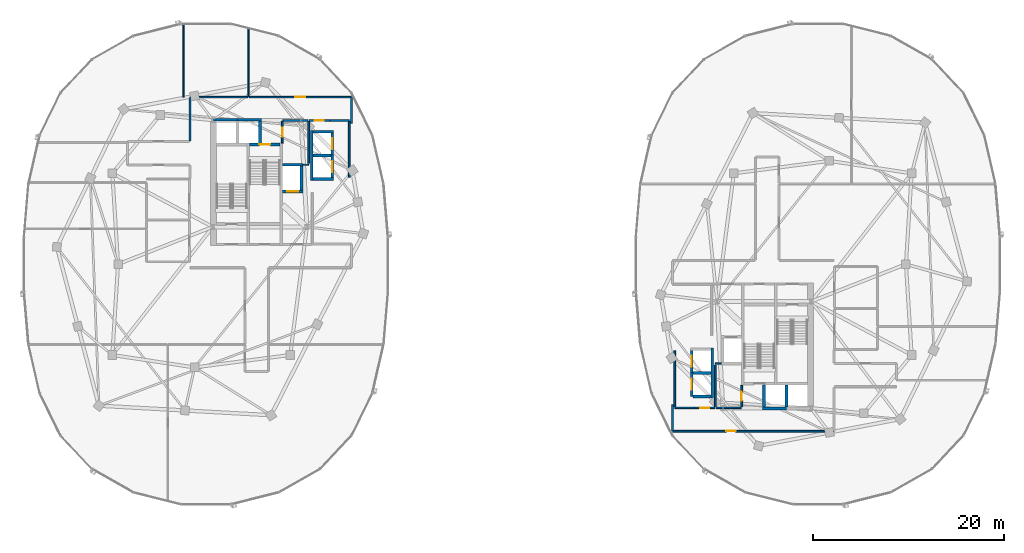
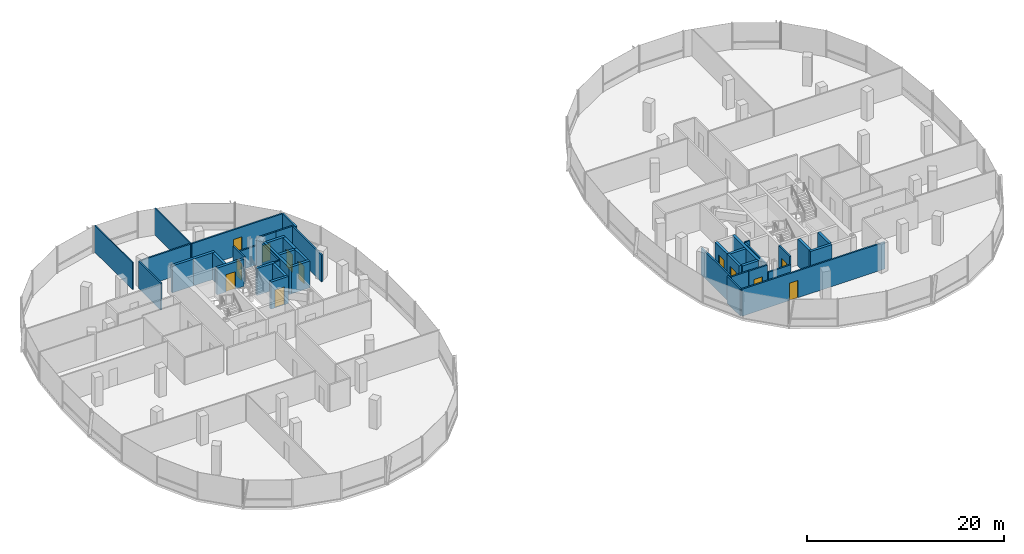
# One storey, part 16 of 25: 43 walls, 12 doors, 12 openings.
"""IFC4 building model written with IfcOpenShell, lengths in metres."""

import ifcopenshell
import ifcopenshell.guid

model = None  # the IFC model being written
_history = None  # IfcOwnerHistory: only IFC2X3 demands one
_inside = {}  # id of a spatial element -> (the spatial element, [elements in it])
_under = {}  # id of a project, library or spatial element -> (it, [spatial elements below it])
_declared = {}  # id of a project -> (the project, [libraries it declares])
_typed = {}  # id of a type object -> (the type object, [elements of that type])
_made_of = {}  # id of a material, layer set ... -> (it, [elements and type objects made of it])


def new_model(schema):
    """Start an empty IFC model of exactly this schema.

    Asked for "IFC4X3", IfcOpenShell would pick the latest addendum, in which some entities
    have other attributes; the version numbers below select the first issue.
    IFC2X3 requires an IfcOwnerHistory on every rooted entity: one is made here for all.
    """
    global model, _history
    if schema == "IFC4X3":
        model = ifcopenshell.file(schema_version=(4, 3, 0, 0))
    else:
        model = ifcopenshell.file(schema=schema)
    _inside.clear()
    _under.clear()
    _declared.clear()
    _typed.clear()
    _made_of.clear()
    _history = None
    if model.schema == "IFC2X3":
        org = make("IfcOrganization", Name="unknown")
        user = make(
            "IfcPersonAndOrganization",
            ThePerson=make("IfcPerson", FamilyName="unknown"),
            TheOrganization=org,
        )
        app = make(
            "IfcApplication",
            ApplicationDeveloper=org,
            Version="unknown",
            ApplicationFullName="unknown",
            ApplicationIdentifier="unknown",
        )
        _history = make(
            "IfcOwnerHistory",
            OwningUser=user,
            OwningApplication=app,
            ChangeAction="ADDED",
            CreationDate=0,
        )
    return model


def make(cls, **values):
    """One entity of the class cls with the attributes given. An attribute that is None is left unset."""
    return model.create_entity(
        cls, **{name: value for name, value in values.items() if value is not None}
    )


def rooted(cls, **values):
    """An entity with a GlobalId (a new one), such as an element, a storey or a relation."""
    return make(cls, GlobalId=ifcopenshell.guid.new(), OwnerHistory=_history, **values)


def si_unit(unit_type, name, prefix=None):
    """IfcSIUnit, for example si_unit("LENGTHUNIT", "METRE", prefix="MILLI")."""
    return make("IfcSIUnit", UnitType=unit_type, Prefix=prefix, Name=name)


def assignment(units):
    """IfcUnitAssignment: the units of a project."""
    return None if units is None else make("IfcUnitAssignment", Units=units)


def point(xyz):
    """IfcCartesianPoint."""
    return None if xyz is None else make("IfcCartesianPoint", Coordinates=xyz)


def direction(xyz):
    """IfcDirection."""
    return None if xyz is None else make("IfcDirection", DirectionRatios=xyz)


def frame(location, z_axis=None, x_axis=None):
    """IfcAxis2Placement3D, a coordinate frame: its origin and axes. An axis left out is left unset."""
    return make(
        "IfcAxis2Placement3D",
        Location=point(location),
        Axis=direction(z_axis),
        RefDirection=direction(x_axis),
    )


def frame_2d(location, x_axis=None):
    """IfcAxis2Placement2D, a coordinate frame in the plane: its origin and x axis."""
    return make(
        "IfcAxis2Placement2D", Location=point(location), RefDirection=direction(x_axis)
    )


def origin():
    """The frame at (0, 0, 0) with its axes left unset."""
    return frame((0.0, 0.0, 0.0))


def place(relative_to, where):
    """IfcLocalPlacement: puts the frame where relative to a parent placement (None: the world)."""
    return make(
        "IfcLocalPlacement", PlacementRelTo=relative_to, RelativePlacement=where
    )


def context(
    kind, dimensions, precision=None, world=None, true_north=None, identifier=None
):
    """IfcGeometricRepresentationContext, for example the 3D "Model" context."""
    return make(
        "IfcGeometricRepresentationContext",
        ContextIdentifier=identifier,
        ContextType=kind,
        CoordinateSpaceDimension=dimensions,
        Precision=precision,
        WorldCoordinateSystem=world,
        TrueNorth=true_north,
    )


def subcontext(parent, identifier, kind, view, scale=None):
    """IfcGeometricRepresentationSubContext, for example "Body" below "Model"."""
    return make(
        "IfcGeometricRepresentationSubContext",
        ContextIdentifier=identifier,
        ContextType=kind,
        ParentContext=parent,
        TargetScale=scale,
        TargetView=view,
    )


def project(units=None, contexts=None):
    """IfcProject with its units and contexts."""
    return rooted(
        "IfcProject",
        Name="project",
        RepresentationContexts=contexts,
        UnitsInContext=assignment(units),
    )


def spatial(cls, under=None, at=None, **own):
    """A site, building, storey or space (cls), placed at a placement, below another one or the project."""
    s = rooted(cls, ObjectPlacement=at, **own)
    if under is not None:
        _under.setdefault(under.id(), (under, []))[1].append(s)
    return s


def profile(cls, at=None, kind="AREA", **sizes):
    """A parametric profile (cls). Its sizes go by their IFC names, for example OverallWidth=200.0."""
    return make(cls, ProfileType=kind, Position=at, **sizes)


def rectangle(**sizes):
    """IfcRectangleProfileDef."""
    return profile("IfcRectangleProfileDef", **sizes)


def extrude(swept, where, along, depth):
    """IfcExtrudedAreaSolid: the profile swept, set in the frame where, extruded along a direction by depth."""
    return make(
        "IfcExtrudedAreaSolid",
        SweptArea=swept,
        Position=where,
        ExtrudedDirection=direction(along),
        Depth=depth,
    )


def shape(context_of_items, identifier, shape_type, items):
    """IfcShapeRepresentation: the items that make up one representation, for example the "Body"."""
    return make(
        "IfcShapeRepresentation",
        ContextOfItems=context_of_items,
        RepresentationIdentifier=identifier,
        RepresentationType=shape_type,
        Items=items,
    )


def material(Name=None, Category=None):
    """IfcMaterial."""
    return make("IfcMaterial", Name=Name, Category=Category)


def layer(
    of_material, thickness, ventilated=None, Name=None, Category=None, Priority=None
):
    """IfcMaterialLayer: one layer of a wall or slab, of a material (None: an air gap)."""
    return make(
        "IfcMaterialLayer",
        Material=of_material,
        LayerThickness=thickness,
        IsVentilated=ventilated,
        Name=Name,
        Category=Category,
        Priority=Priority,
    )


def layer_set(layers, Name=None):
    """IfcMaterialLayerSet."""
    return make("IfcMaterialLayerSet", MaterialLayers=layers, LayerSetName=Name)


def made_of(thing, what):
    """Note that an element or type object is made of a material, layer set ...; save() writes the relation."""
    if what is not None:
        _made_of.setdefault(what.id(), (what, []))[1].append(thing)
    return thing


def type_object(cls, material=None, **own):
    """A type object (cls), such as IfcWallType, which elements share."""
    return made_of(rooted(cls, **own), material)


def element(
    cls,
    number,
    at=None,
    inside=None,
    cuts=None,
    type_object=None,
    material=None,
    context=None,
    identifier="Body",
    shape_type=None,
    held_by="IfcProductDefinitionShape",
    body=None,
    shapes=None,
    **own,
):
    """One element of the class cls, such as IfcWall. Its Tag is "e" and its number.

    at: its placement. inside: the storey or other place that contains it. cuts: it is an
    opening in that element (IfcRelVoidsElement). A single representation is given by context,
    identifier, shape_type and body (its items); several are given by shapes. held_by: the class
    of the entity that holds the representations. save() writes the other relations.
    """
    e = rooted(cls, Tag="e%d" % number, ObjectPlacement=at, **own)
    if body is not None:
        shapes = [shape(context, identifier, shape_type, body)]
    if shapes is not None:
        e.Representation = make(held_by, Representations=shapes)
    if inside is not None:
        _inside.setdefault(inside.id(), (inside, []))[1].append(e)
    if cuts is not None:
        rooted(
            "IfcRelVoidsElement", RelatingBuildingElement=cuts, RelatedOpeningElement=e
        )
    if type_object is not None:
        _typed.setdefault(type_object.id(), (type_object, []))[1].append(e)
    return made_of(e, material)


def fill(opening, filler):
    """IfcRelFillsElement: the door or window that sits in an opening."""
    return rooted(
        "IfcRelFillsElement",
        RelatingOpeningElement=opening,
        RelatedBuildingElement=filler,
    )


def aggregate(whole, parts):
    """IfcRelAggregates: a whole, such as a stair, and the parts it consists of."""
    return rooted("IfcRelAggregates", RelatingObject=whole, RelatedObjects=parts)


def save(model, path):
    """Write the relations noted so far, then the file.

    IfcRelAggregates (storeys below a building ...), IfcRelContainedInSpatialStructure (elements
    in a storey), IfcRelDefinesByType, IfcRelAssociatesMaterial and IfcRelDeclares: one each for
    every whole, place, type object, material and project.
    """
    for whole, parts in _under.values():
        aggregate(whole, parts)
    for where, things in _inside.values():
        rooted(
            "IfcRelContainedInSpatialStructure",
            RelatedElements=things,
            RelatingStructure=where,
        )
    for kind, things in _typed.values():
        rooted("IfcRelDefinesByType", RelatedObjects=things, RelatingType=kind)
    for what, things in _made_of.values():
        rooted("IfcRelAssociatesMaterial", RelatedObjects=things, RelatingMaterial=what)
    for by, libraries in _declared.values():
        rooted("IfcRelDeclares", RelatingContext=by, RelatedDefinitions=libraries)
    model.write(path)


model = new_model("IFC4")

# Units and contexts
model_context = context("Model", 3, precision=1e-05, world=origin(), true_north=direction((0.0, 1.0)))
body_context = subcontext(model_context, "Body", "Model", "MODEL_VIEW")
ifc_project = project(units=[si_unit("LENGTHUNIT", "METRE"), si_unit("AREAUNIT", "SQUARE_METRE"), si_unit("VOLUMEUNIT", "CUBIC_METRE"), si_unit("PLANEANGLEUNIT", "RADIAN"), si_unit("MASSUNIT", "GRAM", prefix="KILO"), si_unit("THERMODYNAMICTEMPERATUREUNIT", "KELVIN"), si_unit("POWERUNIT", "WATT")], contexts=[model_context])

# Site, building, storey
site_placement = place(None, origin())
site = spatial("IfcSite", under=ifc_project, at=site_placement, CompositionType="ELEMENT")
building_placement = place(site_placement, origin())
building = spatial("IfcBuilding", under=site, at=building_placement, Name="Cundina Bronze Exchange", CompositionType="ELEMENT")
storey_placement = place(building_placement, frame((0.0, 0.0, 206.199951171875)))
storey = spatial("IfcBuildingStorey", under=building, at=storey_placement, Name="L54", CompositionType="ELEMENT", Elevation=206.199951171875)

# Wall
ifc_material_1 = material(Name="Gypsum Fireboard Partition EI120")
ifc_layer_1 = layer(ifc_material_1, 0.179931640625, Name="Gypsum Fireboard Partition EI120")
ifc_layer_set_1 = layer_set([ifc_layer_1], Name="Gypsum Fireboard Partition EI120")
wall_type_1 = type_object("IfcWallType", Name="WL-COR-180", PredefinedType="PARTITIONING", material=ifc_layer_set_1)
wall_1_placement = place(storey_placement, frame((-17.02001953125, 9.070068359375, 0.0), z_axis=(0.0, 0.0, 1.0), x_axis=(0.0, 1.0, 0.0)))
element("IfcWall", 1, at=wall_1_placement, inside=storey, type_object=wall_type_1, Name="L54 Interior Partition 001", PredefinedType="PARTITIONING", context=body_context, shape_type="SweptSolid", body=[
    extrude(rectangle(XDim=5.85986328125, YDim=0.179931640625, at=frame_2d((2.929931640625, 0.0))), origin(), (0.0, 0.0, 1.0), 3.340087890625),
])

# Wall, opening, door
wall_2_placement = place(storey_placement, frame((-21.22998046875, 15.030029296875, 0.0), z_axis=(0.0, 0.0, 1.0), x_axis=(1.0, 0.0, 0.0)))
wall_2 = element("IfcWall", 2, at=wall_2_placement, inside=storey, type_object=wall_type_1, Name="L54 Interior Partition 002", PredefinedType="PARTITIONING", context=body_context, shape_type="SweptSolid", body=[
    extrude(rectangle(XDim=2.159912109375, YDim=0.179931640625, at=frame_2d((1.080078125, 0.0))), origin(), (0.0, 0.0, 1.0), 3.340087890625),
])
opening_1_placement = place(wall_2_placement, frame((0.60498046875, 0.0, 0.0)))
opening_1 = element("IfcOpeningElement", 3, at=opening_1_placement, cuts=wall_2, Name="Opening DW-01", PredefinedType="OPENING", context=body_context, shape_type="SweptSolid", body=[
    extrude(rectangle(XDim=0.949951171875, YDim=2.10009765625, at=frame_2d((0.47509765625, 1.050048828125))), frame((0.0, 0.099853515625, 0.0), z_axis=(0.0, -1.0, 0.0), x_axis=(1.0, 0.0, 0.0)), (0.0, 0.0, 1.0), 0.199951171875),
])
ifc_material_2 = material(Name="Solid Andean Oak Timber Grade A", Category="wood")
door_type_1 = type_object("IfcDoorType", Name="DR-WC-950", OperationType="NOTDEFINED", PredefinedType="DOOR", material=ifc_material_2)
door_1_placement = place(opening_1_placement, origin())
door_1 = element("IfcDoor", 4, at=door_1_placement, inside=storey, type_object=door_type_1, Name="L54 Interior Door 002", OperationType="SINGLE_SWING_LEFT", OverallHeight=2.10009765625, OverallWidth=0.949951171875, PredefinedType="DOOR", context=body_context, shape_type="SweptSolid", body=[
    extrude(rectangle(XDim=0.949951171875, YDim=2.10009765625, at=frame_2d((0.47509765625, 1.050048828125))), frame((0.0, 0.02490234375, 0.0), z_axis=(0.0, -1.0, 0.0), x_axis=(1.0, 0.0, 0.0)), (0.0, 0.0, 1.0), 0.050048828125),
])
fill(opening_1, door_1)

# Walls
wall_3_placement = place(storey_placement, frame((-19.030029296875, 15.030029296875, 0.0), z_axis=(0.0, 0.0, 1.0), x_axis=(1.0, 0.0, 0.0)))
element("IfcWall", 5, at=wall_3_placement, inside=storey, type_object=wall_type_1, Name="L54 Interior Partition 003", PredefinedType="PARTITIONING", context=body_context, shape_type="SweptSolid", body=[
    extrude(rectangle(XDim=1.989990234375, YDim=0.179931640625, at=frame_2d((0.9951171875, 0.0))), origin(), (0.0, 0.0, 1.0), 3.340087890625),
])
wall_4_placement = place(storey_placement, frame((-21.25, 10.570068359375, 0.0), z_axis=(0.0, 0.0, 1.0), x_axis=(0.0, 1.0, 0.0)))
element("IfcWall", 6, at=wall_4_placement, inside=storey, type_object=wall_type_1, Name="L54 Interior Partition 005", PredefinedType="PARTITIONING", context=body_context, shape_type="SweptSolid", body=[
    extrude(rectangle(XDim=4.35986328125, YDim=0.179931640625, at=frame_2d((2.179931640625, 0.0))), origin(), (0.0, 0.0, 1.0), 3.340087890625),
])
wall_5_placement = place(storey_placement, frame((-23.9599609375, 15.030029296875, 0.0), z_axis=(0.0, 0.0, 1.0), x_axis=(1.0, 0.0, 0.0)))
element("IfcWall", 7, at=wall_5_placement, inside=storey, type_object=wall_type_1, Name="L54 Interior Partition 006", PredefinedType="PARTITIONING", context=body_context, shape_type="SweptSolid", body=[
    extrude(rectangle(XDim=2.60986328125, YDim=0.179931640625, at=frame_2d((1.304931640625, 0.0))), origin(), (0.0, 0.0, 1.0), 2.4130859375),
])

# Wall, opening, door
wall_6_placement = place(storey_placement, frame((-24.02001953125, 12.669921875, 0.0), z_axis=(0.0, 0.0, 1.0), x_axis=(0.0, 1.0, 0.0)))
wall_6 = element("IfcWall", 8, at=wall_6_placement, inside=storey, type_object=wall_type_1, Name="L54 Interior Partition 008", PredefinedType="PARTITIONING", context=body_context, shape_type="SweptSolid", body=[
    extrude(rectangle(XDim=2.260009765625, YDim=0.179931640625, at=frame_2d((1.1298828125, 0.0))), origin(), (0.0, 0.0, 1.0), 3.340087890625),
])
opening_2_placement = place(wall_6_placement, frame((0.655029296875, 0.0, 0.0)))
opening_2 = element("IfcOpeningElement", 9, at=opening_2_placement, cuts=wall_6, Name="Opening DW-01", PredefinedType="OPENING", context=body_context, shape_type="SweptSolid", body=[
    extrude(rectangle(XDim=0.949951171875, YDim=2.10009765625, at=frame_2d((0.47509765625, 1.050048828125))), frame((0.0, 0.099853515625, 0.0), z_axis=(0.0, -1.0, 0.0), x_axis=(1.0, 0.0, 0.0)), (0.0, 0.0, 1.0), 0.199951171875),
])
door_2_placement = place(opening_2_placement, origin())
door_2 = element("IfcDoor", 10, at=door_2_placement, inside=storey, type_object=door_type_1, Name="L54 Interior Door 008", OperationType="SINGLE_SWING_LEFT", OverallHeight=2.10009765625, OverallWidth=0.949951171875, PredefinedType="DOOR", context=body_context, shape_type="SweptSolid", body=[
    extrude(rectangle(XDim=0.949951171875, YDim=2.10009765625, at=frame_2d((0.47509765625, 1.050048828125))), frame((0.0, 0.02490234375, 0.0), z_axis=(0.0, -1.0, 0.0), x_axis=(1.0, 0.0, 0.0)), (0.0, 0.0, 1.0), 0.050048828125),
])
fill(opening_2, door_2)

wall_7_placement = place(storey_placement, frame((-16.821533203125, 17.469970703125, 0.0), z_axis=(0.0, 0.0, 1.0), x_axis=(-1.0, 0.0, 0.0)))
wall_7 = element("IfcWall", 11, at=wall_7_placement, inside=storey, type_object=wall_type_1, Name="L54 Interior Partition 029", PredefinedType="PARTITIONING", context=body_context, shape_type="SweptSolid", body=[
    extrude(rectangle(XDim=10.6484375, YDim=0.179931640625, at=frame_2d((5.32421875, 0.0))), origin(), (0.0, 0.0, 1.0), 3.340087890625),
])
opening_3_placement = place(wall_7_placement, frame((4.82421875, 0.0, 0.0)))
opening_3 = element("IfcOpeningElement", 12, at=opening_3_placement, cuts=wall_7, Name="Opening DO-01", PredefinedType="OPENING", context=body_context, shape_type="SweptSolid", body=[
    extrude(rectangle(XDim=1.0, YDim=2.14990234375, at=frame_2d((0.5, 1.074951171875))), frame((0.0, 0.099853515625, 0.0), z_axis=(0.0, -1.0, 0.0), x_axis=(1.0, 0.0, 0.0)), (0.0, 0.0, 1.0), 0.199951171875),
])
door_type_2 = type_object("IfcDoorType", Name="DR-OFF-1000", OperationType="NOTDEFINED", PredefinedType="DOOR", material=ifc_material_2)
door_3_placement = place(opening_3_placement, origin())
door_3 = element("IfcDoor", 13, at=door_3_placement, inside=storey, type_object=door_type_2, Name="L54 Interior Door 029", OperationType="SINGLE_SWING_LEFT", OverallHeight=2.14990234375, OverallWidth=1.0, PredefinedType="DOOR", context=body_context, shape_type="SweptSolid", body=[
    extrude(rectangle(XDim=1.0, YDim=2.14990234375, at=frame_2d((0.5, 1.074951171875))), frame((0.0, 0.02490234375, 0.0), z_axis=(0.0, -1.0, 0.0), x_axis=(1.0, 0.0, 0.0)), (0.0, 0.0, 1.0), 0.050048828125),
])
fill(opening_3, door_3)

# Walls
wall_8_placement = place(storey_placement, frame((-16.780029296875, 14.721435546875, 0.0), z_axis=(0.0, 0.0, 1.0), x_axis=(0.0, 1.0, 0.0)))
element("IfcWall", 14, at=wall_8_placement, inside=storey, type_object=wall_type_1, Name="L54 Interior Partition 033", PredefinedType="PARTITIONING", context=body_context, shape_type="SweptSolid", body=[
    extrude(rectangle(XDim=2.70703125, YDim=0.179931640625, at=frame_2d((1.353515625, 0.0))), origin(), (0.0, 0.0, 1.0), 3.340087890625),
])
wall_9_placement = place(storey_placement, frame((-27.64990234375, 17.469970703125, 0.0), z_axis=(0.0, 0.0, 1.0), x_axis=(-1.0, 0.0, 0.0)))
element("IfcWall", 15, at=wall_9_placement, inside=storey, type_object=wall_type_1, Name="L54 Interior Partition 039", PredefinedType="PARTITIONING", context=body_context, shape_type="SweptSolid", body=[
    extrude(rectangle(XDim=5.978515625, YDim=0.179931640625, at=frame_2d((2.9892578125, 0.0))), origin(), (0.0, 0.0, 1.0), 3.340087890625),
])
wall_10_placement = place(storey_placement, frame((-33.669921875, 17.428466796875, 0.0), z_axis=(0.0, 0.0, 1.0), x_axis=(0.0, -1.0, 0.0)))
element("IfcWall", 16, at=wall_10_placement, inside=storey, type_object=wall_type_1, Name="L54 Interior Partition 040", PredefinedType="PARTITIONING", context=body_context, shape_type="SweptSolid", body=[
    extrude(rectangle(XDim=4.528564453125, YDim=0.179931640625, at=frame_2d((2.26416015625, 0.0))), origin(), (0.0, 0.0, 1.0), 3.340087890625),
])
wall_11_placement = place(storey_placement, frame((17.02001953125, -14.929931640625, 0.0), z_axis=(0.0, 0.0, 1.0), x_axis=(0.0, 1.0, 0.0)))
element("IfcWall", 17, at=wall_11_placement, inside=storey, type_object=wall_type_1, Name="L54 Interior Partition 043", PredefinedType="PARTITIONING", context=body_context, shape_type="SweptSolid", body=[
    extrude(rectangle(XDim=5.85986328125, YDim=0.179931640625, at=frame_2d((2.929931640625, 0.0))), origin(), (0.0, 0.0, 1.0), 3.340087890625),
])
wall_12_placement = place(storey_placement, frame((17.0400390625, -15.030029296875, 0.0), z_axis=(0.0, 0.0, 1.0), x_axis=(1.0, 0.0, 0.0)))
element("IfcWall", 18, at=wall_12_placement, inside=storey, type_object=wall_type_1, Name="L54 Interior Partition 044", PredefinedType="PARTITIONING", context=body_context, shape_type="SweptSolid", body=[
    extrude(rectangle(XDim=1.989990234375, YDim=0.179931640625, at=frame_2d((0.9951171875, 0.0))), origin(), (0.0, 0.0, 1.0), 3.340087890625),
])

# Wall, opening, door
wall_13_placement = place(storey_placement, frame((21.22998046875, -15.030029296875, 0.0), z_axis=(0.0, 0.0, 1.0), x_axis=(-1.0, 0.0, 0.0)))
wall_13 = element("IfcWall", 19, at=wall_13_placement, inside=storey, type_object=wall_type_1, Name="L54 Interior Partition 045", PredefinedType="PARTITIONING", context=body_context, shape_type="SweptSolid", body=[
    extrude(rectangle(XDim=2.159912109375, YDim=0.179931640625, at=frame_2d((1.080078125, 0.0))), origin(), (0.0, 0.0, 1.0), 3.340087890625),
])
opening_4_placement = place(wall_13_placement, frame((0.60498046875, 0.0, 0.0)))
opening_4 = element("IfcOpeningElement", 20, at=opening_4_placement, cuts=wall_13, Name="Opening DW-01", PredefinedType="OPENING", context=body_context, shape_type="SweptSolid", body=[
    extrude(rectangle(XDim=0.949951171875, YDim=2.10009765625, at=frame_2d((0.47509765625, 1.050048828125))), frame((0.0, 0.099853515625, 0.0), z_axis=(0.0, -1.0, 0.0), x_axis=(1.0, 0.0, 0.0)), (0.0, 0.0, 1.0), 0.199951171875),
])
door_4_placement = place(opening_4_placement, origin())
door_4 = element("IfcDoor", 21, at=door_4_placement, inside=storey, type_object=door_type_1, Name="L54 Interior Door 045", OperationType="SINGLE_SWING_RIGHT", OverallHeight=2.10009765625, OverallWidth=0.949951171875, PredefinedType="DOOR", context=body_context, shape_type="SweptSolid", body=[
    extrude(rectangle(XDim=0.949951171875, YDim=2.10009765625, at=frame_2d((0.47509765625, 1.050048828125))), frame((0.0, 0.02490234375, 0.0), z_axis=(0.0, -1.0, 0.0), x_axis=(1.0, 0.0, 0.0)), (0.0, 0.0, 1.0), 0.050048828125),
])
fill(opening_4, door_4)

# Walls
wall_14_placement = place(storey_placement, frame((21.25, -14.929931640625, 0.0), z_axis=(0.0, 0.0, 1.0), x_axis=(0.0, 1.0, 0.0)))
element("IfcWall", 22, at=wall_14_placement, inside=storey, type_object=wall_type_1, Name="L54 Interior Partition 047", PredefinedType="PARTITIONING", context=body_context, shape_type="SweptSolid", body=[
    extrude(rectangle(XDim=4.35986328125, YDim=0.179931640625, at=frame_2d((2.179931640625, 0.0))), origin(), (0.0, 0.0, 1.0), 3.340087890625),
])
wall_15_placement = place(storey_placement, frame((21.35009765625, -15.030029296875, 0.0), z_axis=(0.0, 0.0, 1.0), x_axis=(1.0, 0.0, 0.0)))
element("IfcWall", 23, at=wall_15_placement, inside=storey, type_object=wall_type_1, Name="L54 Interior Partition 048", PredefinedType="PARTITIONING", context=body_context, shape_type="SweptSolid", body=[
    extrude(rectangle(XDim=2.60986328125, YDim=0.179931640625, at=frame_2d((1.304931640625, 0.0))), origin(), (0.0, 0.0, 1.0), 2.4130859375),
])

# Wall, opening, door
wall_16_placement = place(storey_placement, frame((24.02001953125, -14.929931640625, 0.0), z_axis=(0.0, 0.0, 1.0), x_axis=(0.0, 1.0, 0.0)))
wall_16 = element("IfcWall", 24, at=wall_16_placement, inside=storey, type_object=wall_type_1, Name="L54 Interior Partition 050", PredefinedType="PARTITIONING", context=body_context, shape_type="SweptSolid", body=[
    extrude(rectangle(XDim=2.260009765625, YDim=0.179931640625, at=frame_2d((1.1298828125, 0.0))), origin(), (0.0, 0.0, 1.0), 3.340087890625),
])
opening_5_placement = place(wall_16_placement, frame((0.655029296875, 0.0, 0.0)))
opening_5 = element("IfcOpeningElement", 25, at=opening_5_placement, cuts=wall_16, Name="Opening DW-01", PredefinedType="OPENING", context=body_context, shape_type="SweptSolid", body=[
    extrude(rectangle(XDim=0.949951171875, YDim=2.10009765625, at=frame_2d((0.47509765625, 1.050048828125))), frame((0.0, 0.099853515625, 0.0), z_axis=(0.0, -1.0, 0.0), x_axis=(1.0, 0.0, 0.0)), (0.0, 0.0, 1.0), 0.199951171875),
])
door_5_placement = place(opening_5_placement, origin())
door_5 = element("IfcDoor", 26, at=door_5_placement, inside=storey, type_object=door_type_1, Name="L54 Interior Door 050", OperationType="SINGLE_SWING_RIGHT", OverallHeight=2.10009765625, OverallWidth=0.949951171875, PredefinedType="DOOR", context=body_context, shape_type="SweptSolid", body=[
    extrude(rectangle(XDim=0.949951171875, YDim=2.10009765625, at=frame_2d((0.47509765625, 1.050048828125))), frame((0.0, 0.02490234375, 0.0), z_axis=(0.0, -1.0, 0.0), x_axis=(1.0, 0.0, 0.0)), (0.0, 0.0, 1.0), 0.050048828125),
])
fill(opening_5, door_5)

wall_17_placement = place(storey_placement, frame((16.821533203125, -17.469970703125, 0.0), z_axis=(0.0, 0.0, 1.0), x_axis=(1.0, 0.0, 0.0)))
wall_17 = element("IfcWall", 27, at=wall_17_placement, inside=storey, type_object=wall_type_1, Name="L54 Interior Partition 064", PredefinedType="PARTITIONING", context=body_context, shape_type="SweptSolid", body=[
    extrude(rectangle(XDim=16.806884765625, YDim=0.179931640625, at=frame_2d((8.4033203125, 0.0))), origin(), (0.0, 0.0, 1.0), 3.340087890625),
])
opening_6_placement = place(wall_17_placement, frame((5.568603515625, 0.0, 0.0)))
opening_6 = element("IfcOpeningElement", 28, at=opening_6_placement, cuts=wall_17, Name="Opening DO-01", PredefinedType="OPENING", context=body_context, shape_type="SweptSolid", body=[
    extrude(rectangle(XDim=1.0, YDim=2.14990234375, at=frame_2d((0.5, 1.074951171875))), frame((0.0, 0.099853515625, 0.0), z_axis=(0.0, -1.0, 0.0), x_axis=(1.0, 0.0, 0.0)), (0.0, 0.0, 1.0), 0.199951171875),
])
door_6_placement = place(opening_6_placement, origin())
door_6 = element("IfcDoor", 29, at=door_6_placement, inside=storey, type_object=door_type_2, Name="L54 Interior Door 064", OperationType="SINGLE_SWING_LEFT", OverallHeight=2.14990234375, OverallWidth=1.0, PredefinedType="DOOR", context=body_context, shape_type="SweptSolid", body=[
    extrude(rectangle(XDim=1.0, YDim=2.14990234375, at=frame_2d((0.5, 1.074951171875))), frame((0.0, 0.02490234375, 0.0), z_axis=(0.0, -1.0, 0.0), x_axis=(1.0, 0.0, 0.0)), (0.0, 0.0, 1.0), 0.050048828125),
])
fill(opening_6, door_6)

# Walls
wall_18_placement = place(storey_placement, frame((16.780029296875, -14.721435546875, 0.0), z_axis=(0.0, 0.0, 1.0), x_axis=(0.0, -1.0, 0.0)))
element("IfcWall", 30, at=wall_18_placement, inside=storey, type_object=wall_type_1, Name="L54 Interior Partition 070", PredefinedType="PARTITIONING", context=body_context, shape_type="SweptSolid", body=[
    extrude(rectangle(XDim=2.70703125, YDim=0.179931640625, at=frame_2d((1.353515625, 0.0))), origin(), (0.0, 0.0, 1.0), 3.340087890625),
])
ifc_material_3 = material(Name="Gypsum Acoustic Partition EI60")
ifc_layer_2 = layer(ifc_material_3, 0.125, Name="Gypsum Acoustic Partition EI60")
ifc_layer_set_2 = layer_set([ifc_layer_2], Name="Gypsum Acoustic Partition EI60")
wall_type_2 = type_object("IfcWallType", Name="WL-OFF-125", PredefinedType="PARTITIONING", material=ifc_layer_set_2)
wall_19_placement = place(storey_placement, frame((-34.360107421875, 17.469970703125, 0.0), z_axis=(0.0, 0.0, 1.0), x_axis=(0.0, 1.0, 0.0)))
element("IfcWall", 31, at=wall_19_placement, inside=storey, type_object=wall_type_2, Name="L54 Interior Partition 022", PredefinedType="PARTITIONING", context=body_context, shape_type="SweptSolid", body=[
    extrude(rectangle(XDim=7.719970703125, YDim=0.125, at=frame_2d((3.85986328125, 0.0))), origin(), (0.0, 0.0, 1.0), 3.340087890625),
])
wall_20_placement = place(storey_placement, frame((-27.56005859375, 17.5, 0.0), z_axis=(0.0, 0.0, 1.0), x_axis=(0.0, 1.0, 0.0)))
element("IfcWall", 32, at=wall_20_placement, inside=storey, type_object=wall_type_2, Name="L54 Interior Partition 023", PredefinedType="PARTITIONING", context=body_context, shape_type="SweptSolid", body=[
    extrude(rectangle(XDim=7.233154296875, YDim=0.125, at=frame_2d((3.61669921875, 0.0))), origin(), (0.0, 0.0, 1.0), 3.340087890625),
])

# Wall, opening, door
ifc_material_4 = material(Name="Concrete C50/60", Category="concrete")
ifc_layer_3 = layer(ifc_material_4, 0.300048828125, Name="Concrete C50/60", Category="concrete")
ifc_layer_set_3 = layer_set([ifc_layer_3], Name="Concrete C50/60")
wall_type_3 = type_object("IfcWallType", Name="WL-SHFT-300", PredefinedType="SHEAR", material=ifc_layer_set_3)
wall_21_placement = place(storey_placement, frame((-27.43994140625, 12.5, 0.0), z_axis=(0.0, 0.0, 1.0), x_axis=(1.0, 0.0, 0.0)))
wall_21 = element("IfcWall", 33, at=wall_21_placement, inside=storey, type_object=wall_type_3, Name="L54 Stair W2 Landing Wall", PredefinedType="SHEAR", context=body_context, shape_type="SweptSolid", body=[
    extrude(rectangle(XDim=3.159912109375, YDim=0.300048828125, at=frame_2d((1.580078125, 0.0))), origin(), (0.0, 0.0, 1.0), 3.340087890625),
])
opening_7_placement = place(wall_21_placement, frame((1.030029296875, 0.0, 0.0)))
opening_7 = element("IfcOpeningElement", 34, at=opening_7_placement, cuts=wall_21, Name="Opening DS-01", PredefinedType="OPENING", context=body_context, shape_type="SweptSolid", body=[
    extrude(rectangle(XDim=1.10009765625, YDim=2.14990234375, at=frame_2d((0.550048828125, 1.074951171875))), frame((0.0, 0.159912109375, 0.0), z_axis=(0.0, -1.0, 0.0), x_axis=(1.0, 0.0, 0.0)), (0.0, 0.0, 1.0), 0.320068359375),
])
ifc_material_5 = material(Name="Steel ASTM A36 Painted", Category="steel")
door_type_3 = type_object("IfcDoorType", Name="DR-STR-1100", OperationType="NOTDEFINED", PredefinedType="DOOR", material=ifc_material_5)
door_7_placement = place(opening_7_placement, origin())
door_7 = element("IfcDoor", 35, at=door_7_placement, inside=storey, type_object=door_type_3, Name="L54 Smokeproof Stair W2 Door", OperationType="SINGLE_SWING_LEFT", OverallHeight=2.14990234375, OverallWidth=1.10009765625, PredefinedType="DOOR", context=body_context, shape_type="SweptSolid", body=[
    extrude(rectangle(XDim=1.10009765625, YDim=2.14990234375, at=frame_2d((0.550048828125, 1.074951171875))), frame((0.0, 0.02490234375, 0.0), z_axis=(0.0, -1.0, 0.0), x_axis=(1.0, 0.0, 0.0)), (0.0, 0.0, 1.0), 0.050048828125),
])
fill(opening_7, door_7)

wall_22_placement = place(storey_placement, frame((-23.97998046875, 7.60009765625, 0.0), z_axis=(0.0, 0.0, 1.0), x_axis=(1.0, 0.0, 0.0)))
wall_22 = element("IfcWall", 36, at=wall_22_placement, inside=storey, type_object=wall_type_3, Name="L54 FFL-W Hoistway Front Wall", PredefinedType="SHEAR", context=body_context, shape_type="SweptSolid", body=[
    extrude(rectangle(XDim=2.10009765625, YDim=0.300048828125, at=frame_2d((1.050048828125, 0.0))), origin(), (0.0, 0.0, 1.0), 3.340087890625),
])
opening_8_placement = place(wall_22_placement, frame((0.47509765625, 0.0, 0.0)))
opening_8 = element("IfcOpeningElement", 37, at=opening_8_placement, cuts=wall_22, Name="Opening LD-01", PredefinedType="OPENING", context=body_context, shape_type="SweptSolid", body=[
    extrude(rectangle(XDim=1.14990234375, YDim=2.199951171875, at=frame_2d((0.574951171875, 1.10009765625))), frame((0.0, 0.159912109375, 0.0), z_axis=(0.0, -1.0, 0.0), x_axis=(1.0, 0.0, 0.0)), (0.0, 0.0, 1.0), 0.320068359375),
])
door_type_4 = type_object("IfcDoorType", Name="DR-LND-1150", OperationType="NOTDEFINED", PredefinedType="TRAPDOOR", material=ifc_material_5)
door_8_placement = place(opening_8_placement, origin())
door_8 = element("IfcDoor", 38, at=door_8_placement, inside=storey, type_object=door_type_4, Name="L54 FFL-W Sliding Landing Door", OperationType="SLIDING_TO_LEFT", OverallHeight=2.199951171875, OverallWidth=1.14990234375, PredefinedType="TRAPDOOR", context=body_context, shape_type="SweptSolid", body=[
    extrude(rectangle(XDim=1.14990234375, YDim=2.199951171875, at=frame_2d((0.574951171875, 1.10009765625))), frame((0.0, 0.02490234375, 0.0), z_axis=(0.0, -1.0, 0.0), x_axis=(1.0, 0.0, 0.0)), (0.0, 0.0, 1.0), 0.050048828125),
])
fill(opening_8, door_8)

# Walls
wall_23_placement = place(storey_placement, frame((-23.97998046875, 10.39990234375, 0.0), z_axis=(0.0, 0.0, 1.0), x_axis=(1.0, 0.0, 0.0)))
element("IfcWall", 39, at=wall_23_placement, inside=storey, type_object=wall_type_3, Name="L54 FFL-W Hoistway Back Wall", PredefinedType="SHEAR", context=body_context, shape_type="SweptSolid", body=[
    extrude(rectangle(XDim=2.10009765625, YDim=0.300048828125, at=frame_2d((1.050048828125, 0.0))), origin(), (0.0, 0.0, 1.0), 3.340087890625),
])
for number, where, z_axis, x_axis, name in (
    (40, (-22.030029296875, 7.75, 0.0), (0.0, 0.0, 1.0), (0.0, 1.0, 0.0), "L54 FFL-W Hoistway Side Wall"),
    (41, (-31.199951171875, 15.10009765625, 0.0), (0.0, 0.0, 1.0), (1.0, 0.0, 0.0), "L54 PH-W1 Hoistway Front Wall"),
    (42, (-28.699951171875, 15.10009765625, 0.0), (0.0, 0.0, 1.0), (1.0, 0.0, 0.0), "L54 PH-W2 Hoistway Front Wall"),
):
    element("IfcWall", number, at=place(storey_placement, frame(where, z_axis=z_axis, x_axis=x_axis)), inside=storey, type_object=wall_type_3, Name=name, PredefinedType="SHEAR", context=body_context, shape_type="SweptSolid", body=[
        extrude(rectangle(XDim=2.5, YDim=0.300048828125, at=frame_2d((1.25, 0.0))), origin(), (0.0, 0.0, 1.0), 3.340087890625),
    ])
wall_24_placement = place(storey_placement, frame((-26.35009765625, 12.64990234375, 0.0), z_axis=(0.0, 0.0, 1.0), x_axis=(0.0, 1.0, 0.0)))
element("IfcWall", 43, at=wall_24_placement, inside=storey, type_object=wall_type_3, Name="L54 PH-W2 Hoistway Divider Wall", PredefinedType="SHEAR", context=body_context, shape_type="SweptSolid", body=[
    extrude(rectangle(XDim=2.300048828125, YDim=0.300048828125, at=frame_2d((1.14990234375, 0.0))), origin(), (0.0, 0.0, 1.0), 3.340087890625),
])
wall_25_placement = place(storey_placement, frame((-20.949951171875, 8.75, 0.0), z_axis=(0.0, 0.0, 1.0), x_axis=(0.0, 1.0, 0.0)))
element("IfcWall", 44, at=wall_25_placement, inside=storey, type_object=wall_type_3, Name="L54 W Passenger Bank Hoistway Back Wall", PredefinedType="SHEAR", context=body_context, shape_type="SweptSolid", body=[
    extrude(rectangle(XDim=5.25, YDim=0.300048828125, at=frame_2d((2.625, 0.0))), origin(), (0.0, 0.0, 1.0), 3.340087890625),
])
for number, where, z_axis, x_axis, name in (
    (45, (-20.800048828125, 8.89990234375, 0.0), (0.0, 0.0, 1.0), (1.0, 0.0, 0.0), "L54 W Passenger Bank South Cap Wall"),
    (46, (-20.800048828125, 13.85009765625, 0.0), (0.0, 0.0, 1.0), (1.0, 0.0, 0.0), "L54 W Passenger Bank North Cap Wall"),
):
    element("IfcWall", number, at=place(storey_placement, frame(where, z_axis=z_axis, x_axis=x_axis)), inside=storey, type_object=wall_type_3, Name=name, PredefinedType="SHEAR", context=body_context, shape_type="SweptSolid", body=[
        extrude(rectangle(XDim=2.150146484375, YDim=0.300048828125, at=frame_2d((1.0751953125, 0.0))), origin(), (0.0, 0.0, 1.0), 3.340087890625),
    ])
wall_26_placement = place(storey_placement, frame((-20.800048828125, 11.375, 0.0), z_axis=(0.0, 0.0, 1.0), x_axis=(1.0, 0.0, 0.0)))
element("IfcWall", 47, at=wall_26_placement, inside=storey, type_object=wall_type_3, Name="L54 W Passenger Hoistway Divider 1", PredefinedType="SHEAR", context=body_context, shape_type="SweptSolid", body=[
    extrude(rectangle(XDim=1.85009765625, YDim=0.300048828125, at=frame_2d((0.925048828125, 0.0))), origin(), (0.0, 0.0, 1.0), 3.340087890625),
])

# Wall, opening, door
wall_27_placement = place(storey_placement, frame((-18.800048828125, 8.929931640625, 0.0), z_axis=(0.0, 0.0, 1.0), x_axis=(0.0, 1.0, 0.0)))
wall_27 = element("IfcWall", 48, at=wall_27_placement, inside=storey, type_object=wall_type_3, Name="L54 PM-W2 Hoistway Front Wall", PredefinedType="SHEAR", context=body_context, shape_type="SweptSolid", body=[
    extrude(rectangle(XDim=2.489990234375, YDim=0.300048828125, at=frame_2d((1.2451171875, 0.0))), origin(), (0.0, 0.0, 1.0), 3.340087890625),
])
opening_9_placement = place(wall_27_placement, frame((0.669921875, 0.0, 0.0)))
opening_9 = element("IfcOpeningElement", 49, at=opening_9_placement, cuts=wall_27, Name="Opening LD-01", PredefinedType="OPENING", context=body_context, shape_type="SweptSolid", body=[
    extrude(rectangle(XDim=1.14990234375, YDim=2.199951171875, at=frame_2d((0.574951171875, 1.10009765625))), frame((0.0, 0.159912109375, 0.0), z_axis=(0.0, -1.0, 0.0), x_axis=(1.0, 0.0, 0.0)), (0.0, 0.0, 1.0), 0.320068359375),
])
door_9_placement = place(opening_9_placement, origin())
door_9 = element("IfcDoor", 50, at=door_9_placement, inside=storey, type_object=door_type_4, Name="L54 PM-W2 Sliding Landing Door", OperationType="SLIDING_TO_LEFT", OverallHeight=2.199951171875, OverallWidth=1.14990234375, PredefinedType="TRAPDOOR", context=body_context, shape_type="SweptSolid", body=[
    extrude(rectangle(XDim=1.14990234375, YDim=2.199951171875, at=frame_2d((0.574951171875, 1.10009765625))), frame((0.0, 0.02490234375, 0.0), z_axis=(0.0, -1.0, 0.0), x_axis=(1.0, 0.0, 0.0)), (0.0, 0.0, 1.0), 0.050048828125),
])
fill(opening_9, door_9)

wall_28_placement = place(storey_placement, frame((-18.800048828125, 11.330078125, 0.0), z_axis=(0.0, 0.0, 1.0), x_axis=(0.0, 1.0, 0.0)))
wall_28 = element("IfcWall", 51, at=wall_28_placement, inside=storey, type_object=wall_type_3, Name="L54 PM-W1 Hoistway Front Wall", PredefinedType="SHEAR", context=body_context, shape_type="SweptSolid", body=[
    extrude(rectangle(XDim=2.489990234375, YDim=0.300048828125, at=frame_2d((1.2451171875, 0.0))), origin(), (0.0, 0.0, 1.0), 3.340087890625),
])
opening_10_placement = place(wall_28_placement, frame((0.669921875, 0.0, 0.0)))
opening_10 = element("IfcOpeningElement", 52, at=opening_10_placement, cuts=wall_28, Name="Opening LD-01", PredefinedType="OPENING", context=body_context, shape_type="SweptSolid", body=[
    extrude(rectangle(XDim=1.14990234375, YDim=2.199951171875, at=frame_2d((0.574951171875, 1.10009765625))), frame((0.0, 0.159912109375, 0.0), z_axis=(0.0, -1.0, 0.0), x_axis=(1.0, 0.0, 0.0)), (0.0, 0.0, 1.0), 0.320068359375),
])
door_10_placement = place(opening_10_placement, origin())
door_10 = element("IfcDoor", 53, at=door_10_placement, inside=storey, type_object=door_type_4, Name="L54 PM-W1 Sliding Landing Door", OperationType="SLIDING_TO_LEFT", OverallHeight=2.199951171875, OverallWidth=1.14990234375, PredefinedType="TRAPDOOR", context=body_context, shape_type="SweptSolid", body=[
    extrude(rectangle(XDim=1.14990234375, YDim=2.199951171875, at=frame_2d((0.574951171875, 1.10009765625))), frame((0.0, 0.02490234375, 0.0), z_axis=(0.0, -1.0, 0.0), x_axis=(1.0, 0.0, 0.0)), (0.0, 0.0, 1.0), 0.050048828125),
])
fill(opening_10, door_10)

# Walls
wall_29_placement = place(storey_placement, frame((28.699951171875, -14.949951171875, 0.0), z_axis=(0.0, 0.0, 1.0), x_axis=(0.0, 1.0, 0.0)))
element("IfcWall", 54, at=wall_29_placement, inside=storey, type_object=wall_type_3, Name="L54 PH-E1 Hoistway Divider Wall", PredefinedType="SHEAR", context=body_context, shape_type="SweptSolid", body=[
    extrude(rectangle(XDim=2.300048828125, YDim=0.300048828125, at=frame_2d((1.14990234375, 0.0))), origin(), (0.0, 0.0, 1.0), 3.340087890625),
])
wall_30_placement = place(storey_placement, frame((26.199951171875, -15.10009765625, 0.0), z_axis=(0.0, 0.0, 1.0), x_axis=(1.0, 0.0, 0.0)))
element("IfcWall", 55, at=wall_30_placement, inside=storey, type_object=wall_type_3, Name="L54 PH-E2 Hoistway Front Wall", PredefinedType="SHEAR", context=body_context, shape_type="SweptSolid", body=[
    extrude(rectangle(XDim=2.5, YDim=0.300048828125, at=frame_2d((1.25, 0.0))), origin(), (0.0, 0.0, 1.0), 3.340087890625),
])
wall_31_placement = place(storey_placement, frame((26.35009765625, -14.949951171875, 0.0), z_axis=(0.0, 0.0, 1.0), x_axis=(0.0, 1.0, 0.0)))
element("IfcWall", 56, at=wall_31_placement, inside=storey, type_object=wall_type_3, Name="L54 PH-E2 Hoistway Divider Wall", PredefinedType="SHEAR", context=body_context, shape_type="SweptSolid", body=[
    extrude(rectangle(XDim=2.300048828125, YDim=0.300048828125, at=frame_2d((1.14990234375, 0.0))), origin(), (0.0, 0.0, 1.0), 3.340087890625),
])
wall_32_placement = place(storey_placement, frame((20.949951171875, -14.0, 0.0), z_axis=(0.0, 0.0, 1.0), x_axis=(0.0, 1.0, 0.0)))
element("IfcWall", 57, at=wall_32_placement, inside=storey, type_object=wall_type_3, Name="L54 E Passenger Bank Hoistway Back Wall", PredefinedType="SHEAR", context=body_context, shape_type="SweptSolid", body=[
    extrude(rectangle(XDim=5.25, YDim=0.300048828125, at=frame_2d((2.625, 0.0))), origin(), (0.0, 0.0, 1.0), 3.340087890625),
])
for number, where, z_axis, x_axis, name in (
    (58, (18.949951171875, -13.85009765625, 0.0), (0.0, 0.0, 1.0), (1.0, 0.0, 0.0), "L54 E Passenger Bank South Cap Wall"),
    (59, (18.949951171875, -11.375, 0.0), (0.0, 0.0, 1.0), (1.0, 0.0, 0.0), "L54 E Passenger Hoistway Divider 1"),
):
    element("IfcWall", number, at=place(storey_placement, frame(where, z_axis=z_axis, x_axis=x_axis)), inside=storey, type_object=wall_type_3, Name=name, PredefinedType="SHEAR", context=body_context, shape_type="SweptSolid", body=[
        extrude(rectangle(XDim=1.85009765625, YDim=0.300048828125, at=frame_2d((0.925048828125, 0.0))), origin(), (0.0, 0.0, 1.0), 3.340087890625),
    ])

# Wall, opening, door
wall_33_placement = place(storey_placement, frame((18.800048828125, -13.820068359375, 0.0), z_axis=(0.0, 0.0, 1.0), x_axis=(0.0, 1.0, 0.0)))
wall_33 = element("IfcWall", 60, at=wall_33_placement, inside=storey, type_object=wall_type_3, Name="L54 PM-E1 Hoistway Front Wall", PredefinedType="SHEAR", context=body_context, shape_type="SweptSolid", body=[
    extrude(rectangle(XDim=2.489990234375, YDim=0.300048828125, at=frame_2d((1.2451171875, 0.0))), origin(), (0.0, 0.0, 1.0), 3.340087890625),
])
opening_11_placement = place(wall_33_placement, frame((0.669921875, 0.0, 0.0)))
opening_11 = element("IfcOpeningElement", 61, at=opening_11_placement, cuts=wall_33, Name="Opening LD-01", PredefinedType="OPENING", context=body_context, shape_type="SweptSolid", body=[
    extrude(rectangle(XDim=1.14990234375, YDim=2.199951171875, at=frame_2d((0.574951171875, 1.10009765625))), frame((0.0, 0.159912109375, 0.0), z_axis=(0.0, -1.0, 0.0), x_axis=(1.0, 0.0, 0.0)), (0.0, 0.0, 1.0), 0.320068359375),
])
door_11_placement = place(opening_11_placement, origin())
door_11 = element("IfcDoor", 62, at=door_11_placement, inside=storey, type_object=door_type_4, Name="L54 PM-E1 Sliding Landing Door", OperationType="SLIDING_TO_LEFT", OverallHeight=2.199951171875, OverallWidth=1.14990234375, PredefinedType="TRAPDOOR", context=body_context, shape_type="SweptSolid", body=[
    extrude(rectangle(XDim=1.14990234375, YDim=2.199951171875, at=frame_2d((0.574951171875, 1.10009765625))), frame((0.0, 0.02490234375, 0.0), z_axis=(0.0, -1.0, 0.0), x_axis=(1.0, 0.0, 0.0)), (0.0, 0.0, 1.0), 0.050048828125),
])
fill(opening_11, door_11)

wall_34_placement = place(storey_placement, frame((18.800048828125, -11.419921875, 0.0), z_axis=(0.0, 0.0, 1.0), x_axis=(0.0, 1.0, 0.0)))
wall_34 = element("IfcWall", 63, at=wall_34_placement, inside=storey, type_object=wall_type_3, Name="L54 PM-E2 Hoistway Front Wall", PredefinedType="SHEAR", context=body_context, shape_type="SweptSolid", body=[
    extrude(rectangle(XDim=2.489990234375, YDim=0.300048828125, at=frame_2d((1.2451171875, 0.0))), origin(), (0.0, 0.0, 1.0), 3.340087890625),
])
opening_12_placement = place(wall_34_placement, frame((0.669921875, 0.0, 0.0)))
opening_12 = element("IfcOpeningElement", 64, at=opening_12_placement, cuts=wall_34, Name="Opening LD-01", PredefinedType="OPENING", context=body_context, shape_type="SweptSolid", body=[
    extrude(rectangle(XDim=1.14990234375, YDim=2.199951171875, at=frame_2d((0.574951171875, 1.10009765625))), frame((0.0, 0.159912109375, 0.0), z_axis=(0.0, -1.0, 0.0), x_axis=(1.0, 0.0, 0.0)), (0.0, 0.0, 1.0), 0.320068359375),
])
door_12_placement = place(opening_12_placement, origin())
door_12 = element("IfcDoor", 65, at=door_12_placement, inside=storey, type_object=door_type_4, Name="L54 PM-E2 Sliding Landing Door", OperationType="SLIDING_TO_LEFT", OverallHeight=2.199951171875, OverallWidth=1.14990234375, PredefinedType="TRAPDOOR", context=body_context, shape_type="SweptSolid", body=[
    extrude(rectangle(XDim=1.14990234375, YDim=2.199951171875, at=frame_2d((0.574951171875, 1.10009765625))), frame((0.0, 0.02490234375, 0.0), z_axis=(0.0, -1.0, 0.0), x_axis=(1.0, 0.0, 0.0)), (0.0, 0.0, 1.0), 0.050048828125),
])
fill(opening_12, door_12)

# Walls
ifc_material_6 = material(Name="Moisture-Resistant Masonry Block Grade M15", Category="masonry")
ifc_layer_4 = layer(ifc_material_6, 0.139892578125, Name="Moisture-Resistant Masonry Block Grade M15", Category="masonry")
ifc_layer_set_4 = layer_set([ifc_layer_4], Name="Moisture-Resistant Masonry Block Grade M15")
wall_type_4 = type_object("IfcWallType", Name="WL-WET-140", PredefinedType="PARTITIONING", material=ifc_layer_set_4)
for number, where, z_axis, x_axis, name in (
    (66, (-21.860107421875, 10.39990234375, 0.0), (0.0, 0.0, 1.0), (1.0, 0.0, 0.0), "L54 Interior Partition 004"),
    (67, (21.27001953125, -10.39990234375, 0.0), (0.0, 0.0, 1.0), (1.0, 0.0, 0.0), "L54 Interior Partition 046"),
):
    element("IfcWall", number, at=place(storey_placement, frame(where, z_axis=z_axis, x_axis=x_axis)), inside=storey, type_object=wall_type_4, Name=name, PredefinedType="PARTITIONING", context=body_context, shape_type="SweptSolid", body=[
        extrude(rectangle(XDim=0.590087890625, YDim=0.139892578125, at=frame_2d((0.294921875, 0.0))), origin(), (0.0, 0.0, 1.0), 3.340087890625),
    ])

save(model, "model.ifc")
